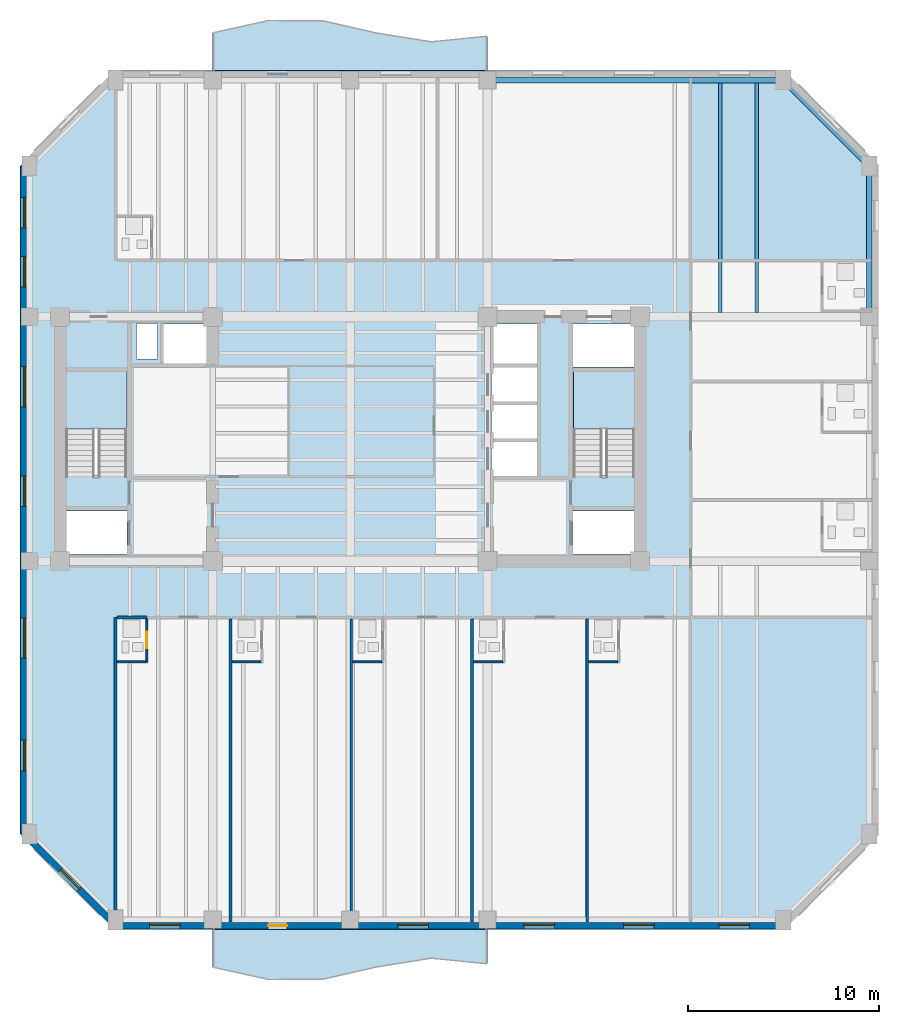
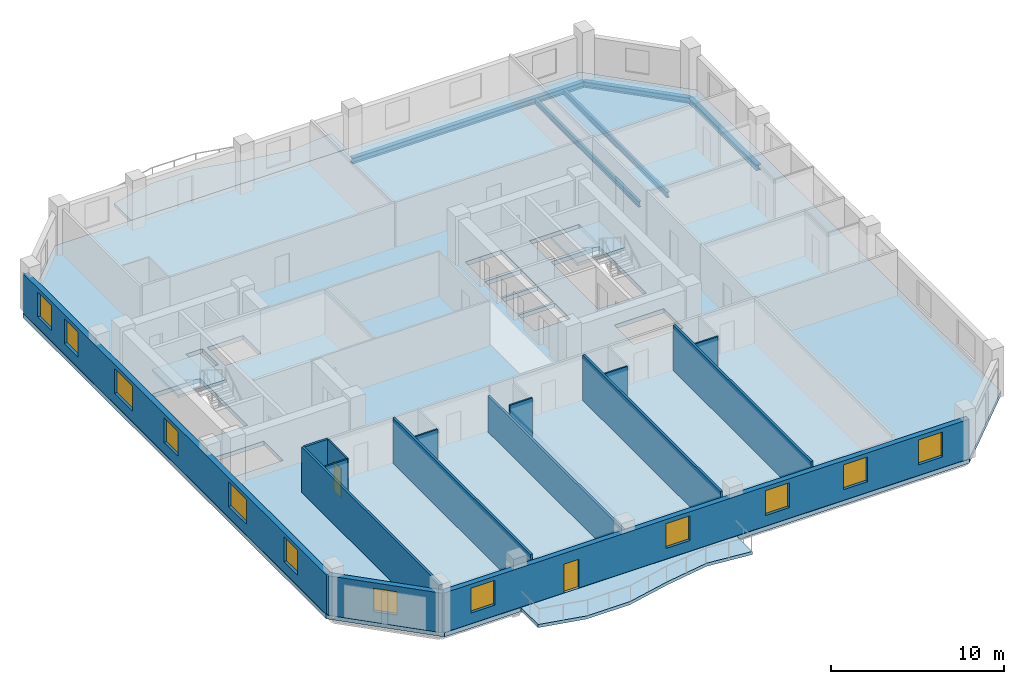
# One storey, part 2 of 10: 15 walls, 12 windows, 5 beams, 5 slabs, 2 doors, 14 openings, 2 elements without a shape of their own.
"""IFC4 building model written with IfcOpenShell, lengths in metres."""

from ifc_helpers import new_model, si_unit, direction, frame, frame_2d, origin, origin_2d, place, context, subcontext, project, spatial, polyline, rectangle, i_section, outline, extrude, material, layer, layer_set, material_profile, profile_set, type_object, element, fill, aggregate, save


model = new_model("IFC4")

# Units and contexts
model_context = context("Model", 3, precision=1e-05, world=origin(), true_north=direction((0.0, 1.0)))
body_context = subcontext(model_context, "Body", "Model", "MODEL_VIEW")
ifc_project = project(units=[si_unit("LENGTHUNIT", "METRE"), si_unit("AREAUNIT", "SQUARE_METRE"), si_unit("VOLUMEUNIT", "CUBIC_METRE"), si_unit("PLANEANGLEUNIT", "RADIAN"), si_unit("MASSUNIT", "GRAM", prefix="KILO")], contexts=[model_context])

# Site, building, storey
site_placement = place(None, origin())
site = spatial("IfcSite", under=ifc_project, at=site_placement, CompositionType="ELEMENT")
building_placement = place(site_placement, origin())
building = spatial("IfcBuilding", under=site, at=building_placement, Name="Kranthara Brick Stack", CompositionType="ELEMENT")
storey_placement = place(building_placement, frame((0.0, 0.0, 155.300048828125)))
storey = spatial("IfcBuildingStorey", under=building, at=storey_placement, Name="L39", CompositionType="ELEMENT", Elevation=155.300048828125)

# Beams
ifc_material_1 = material(Name="Steel S355", Category="steel")
ifc_material_profile_1 = material_profile(ifc_material_1, i_section(OverallWidth=0.179931640625, OverallDepth=0.39990234375, WebThickness=0.008544921875, FlangeThickness=0.013427734375, at=origin_2d()), Name="IPE 400")
ifc_profile_set_1 = profile_set([ifc_material_profile_1], Name="Steel S355")
beam_type_1 = type_object("IfcBeamType", Name="BM-JST-IPE400", PredefinedType="JOIST", material=ifc_profile_set_1)
for number, where, z_axis, x_axis, name in (
    (1, (47.39990234375, 33.824951171875, -0.5), (0.0, 1.0, 0.0), (-1.0, 0.0, 0.0), "L39 North Wing Floor Joist 073"),
    (2, (49.300048828125, 33.824951171875, -0.5), (0.0, 1.0, 0.0), (-1.0, 0.0, 0.0), "L39 North Wing Floor Joist 075"),
):
    element("IfcBeam", number, at=place(storey_placement, frame(where, z_axis=z_axis, x_axis=x_axis)), inside=storey, type_object=beam_type_1, Name=name, PredefinedType="JOIST", context=body_context, shape_type="SweptSolid", body=[
        extrude(i_section(OverallWidth=0.179931640625, OverallDepth=0.39990234375, WebThickness=0.008544921875, FlangeThickness=0.013427734375, at=origin_2d()), origin(), (0.0, 0.0, 1.0), 12.025146484375),
    ])
ifc_material_2 = material(Name="Steel S355", Category="steel")
ifc_material_profile_2 = material_profile(ifc_material_2, i_section(OverallWidth=0.300048828125, OverallDepth=0.39990234375, WebThickness=0.013427734375, FlangeThickness=0.02392578125, at=origin_2d()), Name="HEB 400")
ifc_profile_set_2 = profile_set([ifc_material_profile_2], Name="Steel S355")
beam_type_2 = type_object("IfcBeamType", Name="BM-STL-HEB400", PredefinedType="SPANDREL", material=ifc_profile_set_2)
beam_1_placement = place(storey_placement, frame((35.199951171875, 46.0, -0.5), z_axis=(1.0, 0.0, 0.0), x_axis=(0.0, 1.0, 0.0)))
element("IfcBeam", 3, at=beam_1_placement, inside=storey, type_object=beam_type_2, Name="L39 Perimeter Spandrel Beam 012", PredefinedType="SPANDREL", context=body_context, shape_type="SweptSolid", body=[
    extrude(i_section(OverallWidth=0.300048828125, OverallDepth=0.39990234375, WebThickness=0.013427734375, FlangeThickness=0.02392578125, at=origin_2d()), origin(), (0.0, 0.0, 1.0), 15.5),
])
beam_2_placement = place(storey_placement, frame((55.199951171875, 33.60009765625, -0.5), z_axis=(0.0, 1.0, 0.0), x_axis=(-1.0, 0.0, 0.0)))
element("IfcBeam", 4, at=beam_2_placement, inside=storey, type_object=beam_type_2, Name="L39 Perimeter Spandrel Beam 018", PredefinedType="SPANDREL", context=body_context, shape_type="SweptSolid", body=[
    extrude(i_section(OverallWidth=0.300048828125, OverallDepth=0.39990234375, WebThickness=0.013427734375, FlangeThickness=0.02392578125, at=origin_2d()), origin(), (0.0, 0.0, 1.0), 7.89990234375),
])
beam_3_placement = place(storey_placement, frame((50.699951171875, 46.0, -0.5), z_axis=(0.707106781187, -0.707106781187, 0.0), x_axis=(0.707106781187, 0.707106781187, 0.0)))
element("IfcBeam", 5, at=beam_3_placement, inside=storey, type_object=beam_type_2, Name="L39 Chamfer Corner Spandrel 022", PredefinedType="SPANDREL", context=body_context, shape_type="SweptSolid", body=[
    extrude(i_section(OverallWidth=0.300048828125, OverallDepth=0.39990234375, WebThickness=0.013427734375, FlangeThickness=0.02392578125, at=origin_2d()), origin(), (0.0, 0.0, 1.0), 6.364013671875),
])

# Slabs
ifc_material_3 = material(Name="Concrete C45/55", Category="concrete")
ifc_layer_1 = layer(ifc_material_3, 0.219970703125)
ifc_layer_set_1 = layer_set([ifc_layer_1], Name="Concrete C45/55")
slab_type_1 = type_object("IfcSlabType", Name="SLB-BALC-220", PredefinedType="FLOOR", material=ifc_layer_set_1)
slab_1_placement = place(storey_placement, frame((0.0, 0.0, -0.219970703125)))
element("IfcSlab", 6, at=slab_1_placement, inside=storey, type_object=slab_type_1, Name="L39 South Rippling Balcony Slab", PredefinedType="FLOOR", context=body_context, shape_type="SweptSolid", body=[
    extrude(outline(polyline([(20.800048828125, 1.5), (35.199951171875, 1.5), (35.199951171875, -0.3037109375), (32.320068359375, -0.008056640625), (29.43994140625, -0.48828125), (26.56005859375, -1.140625), (23.679931640625, -1.14453125), (20.800048828125, -0.4951171875), (20.800048828125, 1.5)])), origin(), (0.0, 0.0, 1.0), 0.219970703125),
])
slab_2_placement = place(storey_placement, frame((0.0, 0.0, -0.219970703125)))
element("IfcSlab", 7, at=slab_2_placement, inside=storey, type_object=slab_type_1, Name="L39 North Rippling Balcony Slab", PredefinedType="FLOOR", context=body_context, shape_type="SweptSolid", body=[
    extrude(outline(polyline([(35.199951171875, 46.5), (20.800048828125, 46.5), (20.800048828125, 48.4951171875), (23.679931640625, 49.14453125), (26.56005859375, 49.140625), (29.43994140625, 48.48828125), (32.320068359375, 48.008056640625), (35.199951171875, 48.3037109375), (35.199951171875, 46.5)])), origin(), (0.0, 0.0, 1.0), 0.219970703125),
])

# Stair, slab
ifc_material_4 = material(Name="Concrete C45/55", Category="concrete")
stair_type = type_object("IfcStairType", Name="ST-CORE-20R", PredefinedType="HALF_TURN_STAIR", material=ifc_material_4)
stair_1_placement = place(storey_placement, origin())
stair_1 = element("IfcStair", 8, at=stair_1_placement, inside=storey, type_object=stair_type, Name="L39 West Core Protected Exit Stair ST01", PredefinedType="HALF_TURN_STAIR")
ifc_material_5 = material(Name="Concrete C45/55", Category="concrete")
ifc_layer_2 = layer(ifc_material_5, 0.199951171875)
ifc_layer_set_2 = layer_set([ifc_layer_2], Name="Concrete C45/55")
slab_type_2 = type_object("IfcSlabType", Name="SLB-LANDING-200", PredefinedType="LANDING", material=ifc_layer_set_2)
slab_3_placement = place(storey_placement, frame((0.0, 0.0, 1.550048828125)))
slab_3 = element("IfcSlab", 9, at=slab_3_placement, type_object=slab_type_2, Name="ST01 landing 1", PredefinedType="LANDING", context=body_context, shape_type="SweptSolid", body=[
    extrude(outline(polyline([(16.300048828125, 27.719970703125), (16.300048828125, 30.75), (13.10009765625, 30.75), (13.10009765625, 27.719970703125), (16.300048828125, 27.719970703125)])), origin(), (0.0, 0.0, 1.0), 0.199951171875),
])
aggregate(stair_1, [slab_3])

stair_2_placement = place(storey_placement, origin())
stair_2 = element("IfcStair", 10, at=stair_2_placement, inside=storey, type_object=stair_type, Name="L39 East Core Protected Exit Stair ST02", PredefinedType="HALF_TURN_STAIR")
slab_4_placement = place(storey_placement, frame((0.0, 0.0, 1.550048828125)))
slab_4 = element("IfcSlab", 11, at=slab_4_placement, type_object=slab_type_2, Name="ST02 landing 1", PredefinedType="LANDING", context=body_context, shape_type="SweptSolid", body=[
    extrude(outline(polyline([(42.89990234375, 27.719970703125), (42.89990234375, 30.75), (39.699951171875, 30.75), (39.699951171875, 27.719970703125), (42.89990234375, 27.719970703125)])), origin(), (0.0, 0.0, 1.0), 0.199951171875),
])
aggregate(stair_2, [slab_4])

# Slab
ifc_material_6 = material(Name="Post-tensioned concrete C45/55", Category="concrete")
ifc_layer_3 = layer(ifc_material_6, 0.300048828125)
ifc_layer_set_3 = layer_set([ifc_layer_3], Name="Post-tensioned concrete C45/55")
slab_type_3 = type_object("IfcSlabType", Name="SLB-TWR-300", PredefinedType="FLOOR", material=ifc_layer_set_3)
slab_5_placement = place(storey_placement, frame((0.0, 0.0, -0.300048828125)))
element("IfcSlab", 12, at=slab_5_placement, inside=storey, type_object=slab_type_3, Name="L39 Structural Floor Plate", PredefinedType="FLOOR", context=body_context, shape_type="SweptSolid", body=[
    extrude(outline(polyline([(15.699951171875, 1.5), (50.699951171875, 1.5), (55.699951171875, 6.5), (55.699951171875, 41.5), (50.699951171875, 46.5), (15.699951171875, 46.5), (10.699951171875, 41.5), (10.699951171875, 6.5), (15.699951171875, 1.5)]), holes=[polyline([(13.10009765625, 25.280029296875), (16.300048828125, 25.280029296875), (16.300048828125, 30.75), (13.10009765625, 30.75), (13.10009765625, 25.280029296875)]), polyline([(39.699951171875, 25.280029296875), (42.89990234375, 25.280029296875), (42.89990234375, 30.75), (39.699951171875, 30.75), (39.699951171875, 25.280029296875)]), polyline([(13.0, 21.179931640625), (16.320068359375, 21.179931640625), (16.320068359375, 23.419921875), (13.0, 23.419921875), (13.0, 21.179931640625)]), polyline([(39.679931640625, 21.179931640625), (43.0, 21.179931640625), (43.0, 23.419921875), (39.679931640625, 23.419921875), (39.679931640625, 21.179931640625)]), polyline([(39.679931640625, 30.97998046875), (43.0, 30.97998046875), (43.0, 33.219970703125), (39.679931640625, 33.219970703125), (39.679931640625, 30.97998046875)]), polyline([(35.39990234375, 25.25), (37.800048828125, 25.25), (37.800048828125, 27.050048828125), (35.39990234375, 27.050048828125), (35.39990234375, 25.25)]), polyline([(35.39990234375, 27.199951171875), (37.800048828125, 27.199951171875), (37.800048828125, 29.0), (35.39990234375, 29.0), (35.39990234375, 27.199951171875)]), polyline([(35.39990234375, 29.14990234375), (37.800048828125, 29.14990234375), (37.800048828125, 30.949951171875), (35.39990234375, 30.949951171875), (35.39990234375, 29.14990234375)]), polyline([(18.199951171875, 31.14990234375), (20.60009765625, 31.14990234375), (20.60009765625, 33.219970703125), (18.199951171875, 33.219970703125), (18.199951171875, 31.14990234375)]), polyline([(35.39990234375, 31.14990234375), (37.800048828125, 31.14990234375), (37.800048828125, 33.219970703125), (35.39990234375, 33.219970703125), (35.39990234375, 31.14990234375)]), polyline([(16.800048828125, 31.39990234375), (17.89990234375, 31.39990234375), (17.89990234375, 33.25), (16.800048828125, 33.25), (16.800048828125, 31.39990234375)])]), origin(), (0.0, 0.0, 1.0), 0.300048828125),
])

# Wall, openings, door, windows
ifc_material_7 = material(Name="Kiln-fired clay brick masonry M15", Category="masonry")
ifc_layer_4 = layer(ifc_material_7, 0.35009765625)
ifc_layer_set_4 = layer_set([ifc_layer_4], Name="Kiln-fired clay brick masonry M15")
wall_type_1 = type_object("IfcWallType", Name="WL-BRK-SPND-350", PredefinedType="STANDARD", material=ifc_layer_set_4)
wall_1_placement = place(storey_placement, frame((50.699951171875, 1.695068359375, 0.0), z_axis=(0.0, 0.0, 1.0), x_axis=(-1.0, 0.0, 0.0)))
wall_1 = element("IfcWall", 13, at=wall_1_placement, inside=storey, type_object=wall_type_1, Name="L39 Exterior Brick Facade Wall SOUTH 1", PredefinedType="STANDARD", context=body_context, shape_type="SweptSolid", body=[
    extrude(rectangle(XDim=35.0, YDim=0.35009765625, at=frame_2d((17.5, 0.0))), origin(), (0.0, 0.0, 1.0), 2.784912109375),
])
opening_1_placement = place(wall_1_placement, frame((26.0, 0.0, 0.0)))
opening_1 = element("IfcOpeningElement", 14, at=opening_1_placement, cuts=wall_1, Name="Opening D03", PredefinedType="OPENING", context=body_context, shape_type="SweptSolid", body=[
    extrude(rectangle(XDim=1.0, YDim=2.02001953125, at=frame_2d((0.5, 1.010009765625))), frame((0.0, 0.18505859375, 0.0), z_axis=(0.0, -1.0, 0.0), x_axis=(1.0, 0.0, 0.0)), (0.0, 0.0, 1.0), 0.3701171875),
])
opening_2_placement = place(wall_1_placement, frame((1.762939453125, 0.0, 0.75)))
opening_2 = element("IfcOpeningElement", 15, at=opening_2_placement, cuts=wall_1, Name="Opening WN04", PredefinedType="OPENING", context=body_context, shape_type="SweptSolid", body=[
    extrude(rectangle(XDim=1.60009765625, YDim=1.75, at=frame_2d((0.800048828125, 0.875))), frame((0.0, 0.18505859375, 0.0), z_axis=(0.0, -1.0, 0.0), x_axis=(1.0, 0.0, 0.0)), (0.0, 0.0, 1.0), 0.3701171875),
])
opening_3_placement = place(wall_1_placement, frame((6.763916015625, 0.0, 0.75)))
opening_3 = element("IfcOpeningElement", 16, at=opening_3_placement, cuts=wall_1, Name="Opening WN04", PredefinedType="OPENING", context=body_context, shape_type="SweptSolid", body=[
    extrude(rectangle(XDim=1.60009765625, YDim=1.75, at=frame_2d((0.800048828125, 0.875))), frame((0.0, 0.18505859375, 0.0), z_axis=(0.0, -1.0, 0.0), x_axis=(1.0, 0.0, 0.0)), (0.0, 0.0, 1.0), 0.3701171875),
])
opening_4_placement = place(wall_1_placement, frame((11.989013671875, 0.0, 0.75)))
opening_4 = element("IfcOpeningElement", 17, at=opening_4_placement, cuts=wall_1, Name="Opening WN04", PredefinedType="OPENING", context=body_context, shape_type="SweptSolid", body=[
    extrude(rectangle(XDim=1.60009765625, YDim=1.75, at=frame_2d((0.800048828125, 0.875))), frame((0.0, 0.18505859375, 0.0), z_axis=(0.0, -1.0, 0.0), x_axis=(1.0, 0.0, 0.0)), (0.0, 0.0, 1.0), 0.3701171875),
])
opening_5_placement = place(wall_1_placement, frame((18.60400390625, 0.0, 0.75)))
opening_5 = element("IfcOpeningElement", 18, at=opening_5_placement, cuts=wall_1, Name="Opening WN04", PredefinedType="OPENING", context=body_context, shape_type="SweptSolid", body=[
    extrude(rectangle(XDim=1.60009765625, YDim=1.75, at=frame_2d((0.800048828125, 0.875))), frame((0.0, 0.18505859375, 0.0), z_axis=(0.0, -1.0, 0.0), x_axis=(1.0, 0.0, 0.0)), (0.0, 0.0, 1.0), 0.3701171875),
])
opening_6_placement = place(wall_1_placement, frame((31.613037109375, 0.0, 0.75)))
opening_6 = element("IfcOpeningElement", 19, at=opening_6_placement, cuts=wall_1, Name="Opening WN04", PredefinedType="OPENING", context=body_context, shape_type="SweptSolid", body=[
    extrude(rectangle(XDim=1.60009765625, YDim=1.75, at=frame_2d((0.800048828125, 0.875))), frame((0.0, 0.18505859375, 0.0), z_axis=(0.0, -1.0, 0.0), x_axis=(1.0, 0.0, 0.0)), (0.0, 0.0, 1.0), 0.3701171875),
])
ifc_material_8 = material(Name="Bronze anodised aluminium and laminated glass", Category="aluminium")
door_type_1 = type_object("IfcDoorType", Name="DR-BALC-1000", OperationType="NOTDEFINED", PredefinedType="DOOR", material=ifc_material_8)
door_1_placement = place(opening_1_placement, origin())
door_1 = element("IfcDoor", 20, at=door_1_placement, inside=storey, type_object=door_type_1, Name="L39 South Balcony Terrace Door", OperationType="SINGLE_SWING_LEFT", OverallHeight=2.02001953125, OverallWidth=1.0, PredefinedType="DOOR", context=body_context, shape_type="SweptSolid", body=[
    extrude(rectangle(XDim=1.0, YDim=2.02001953125, at=frame_2d((0.5, 1.010009765625))), frame((0.0, 0.02490234375, 0.0), z_axis=(0.0, -1.0, 0.0), x_axis=(1.0, 0.0, 0.0)), (0.0, 0.0, 1.0), 0.050048828125),
])
fill(opening_1, door_1)
ifc_material_9 = material(Name="Double-glazed low-E solar control glass", Category="glass")
window_type_1 = type_object("IfcWindowType", Name="WN-HTL-1600x1850", PartitioningType="DOUBLE_PANEL_VERTICAL", PredefinedType="WINDOW", material=ifc_material_9)
window_1_placement = place(opening_2_placement, origin())
window_1 = element("IfcWindow", 21, at=window_1_placement, inside=storey, type_object=window_type_1, Name="L39 South Deep-Set Brick Window 01", OverallHeight=1.75, OverallWidth=1.60009765625, PartitioningType="SINGLE_PANEL", PredefinedType="WINDOW", context=body_context, shape_type="SweptSolid", body=[
    extrude(rectangle(XDim=1.60009765625, YDim=1.75, at=frame_2d((0.800048828125, 0.875))), frame((0.0, -0.010009765625, 0.0), z_axis=(0.0, -1.0, 0.0), x_axis=(1.0, 0.0, 0.0)), (0.0, 0.0, 1.0), 0.06005859375),
])
fill(opening_2, window_1)
window_2_placement = place(opening_3_placement, origin())
window_2 = element("IfcWindow", 22, at=window_2_placement, inside=storey, type_object=window_type_1, Name="L39 South Deep-Set Brick Window 02", OverallHeight=1.75, OverallWidth=1.60009765625, PartitioningType="SINGLE_PANEL", PredefinedType="WINDOW", context=body_context, shape_type="SweptSolid", body=[
    extrude(rectangle(XDim=1.60009765625, YDim=1.75, at=frame_2d((0.800048828125, 0.875))), frame((0.0, -0.010009765625, 0.0), z_axis=(0.0, -1.0, 0.0), x_axis=(1.0, 0.0, 0.0)), (0.0, 0.0, 1.0), 0.06005859375),
])
fill(opening_3, window_2)
window_3_placement = place(opening_4_placement, origin())
window_3 = element("IfcWindow", 23, at=window_3_placement, inside=storey, type_object=window_type_1, Name="L39 South Deep-Set Brick Window 03", OverallHeight=1.75, OverallWidth=1.60009765625, PartitioningType="SINGLE_PANEL", PredefinedType="WINDOW", context=body_context, shape_type="SweptSolid", body=[
    extrude(rectangle(XDim=1.60009765625, YDim=1.75, at=frame_2d((0.800048828125, 0.875))), frame((0.0, -0.010009765625, 0.0), z_axis=(0.0, -1.0, 0.0), x_axis=(1.0, 0.0, 0.0)), (0.0, 0.0, 1.0), 0.06005859375),
])
fill(opening_4, window_3)
window_4_placement = place(opening_5_placement, origin())
window_4 = element("IfcWindow", 24, at=window_4_placement, inside=storey, type_object=window_type_1, Name="L39 South Deep-Set Brick Window 04", OverallHeight=1.75, OverallWidth=1.60009765625, PartitioningType="SINGLE_PANEL", PredefinedType="WINDOW", context=body_context, shape_type="SweptSolid", body=[
    extrude(rectangle(XDim=1.60009765625, YDim=1.75, at=frame_2d((0.800048828125, 0.875))), frame((0.0, -0.010009765625, 0.0), z_axis=(0.0, -1.0, 0.0), x_axis=(1.0, 0.0, 0.0)), (0.0, 0.0, 1.0), 0.06005859375),
])
fill(opening_5, window_4)
window_5_placement = place(opening_6_placement, origin())
window_5 = element("IfcWindow", 25, at=window_5_placement, inside=storey, type_object=window_type_1, Name="L39 South Deep-Set Brick Window 05", OverallHeight=1.75, OverallWidth=1.60009765625, PartitioningType="SINGLE_PANEL", PredefinedType="WINDOW", context=body_context, shape_type="SweptSolid", body=[
    extrude(rectangle(XDim=1.60009765625, YDim=1.75, at=frame_2d((0.800048828125, 0.875))), frame((0.0, -0.010009765625, 0.0), z_axis=(0.0, -1.0, 0.0), x_axis=(1.0, 0.0, 0.0)), (0.0, 0.0, 1.0), 0.06005859375),
])
fill(opening_6, window_5)

# Wall, opening, window
wall_2_placement = place(storey_placement, frame((15.699951171875, 1.695068359375, 0.0), z_axis=(0.0, 0.0, 1.0), x_axis=(-0.707106781187, 0.707106781187, 0.0)))
wall_2 = element("IfcWall", 26, at=wall_2_placement, inside=storey, type_object=wall_type_1, Name="L39 Exterior Brick Facade Wall SW 1", PredefinedType="STANDARD", context=body_context, shape_type="SweptSolid", body=[
    extrude(rectangle(XDim=6.795166015625, YDim=0.35009765625, at=frame_2d((3.3974609375, 0.0))), origin(), (0.0, 0.0, 1.0), 2.784912109375),
])
opening_7_placement = place(wall_2_placement, frame((2.697998046875, 0.0, 0.75)))
opening_7 = element("IfcOpeningElement", 27, at=opening_7_placement, cuts=wall_2, Name="Opening WN10", PredefinedType="OPENING", context=body_context, shape_type="SweptSolid", body=[
    extrude(rectangle(XDim=1.39990234375, YDim=1.64990234375, at=frame_2d((0.699951171875, 0.824951171875))), frame((0.0, 0.18505859375, 0.0), z_axis=(0.0, -1.0, 0.0), x_axis=(1.0, 0.0, 0.0)), (0.0, 0.0, 1.0), 0.3701171875),
])
ifc_material_10 = material(Name="Double-glazed low-E solar control glass", Category="glass")
window_type_2 = type_object("IfcWindowType", Name="WN-CHM-1400x1750", PartitioningType="SINGLE_PANEL", PredefinedType="WINDOW", material=ifc_material_10)
window_6_placement = place(opening_7_placement, origin())
window_6 = element("IfcWindow", 28, at=window_6_placement, inside=storey, type_object=window_type_2, Name="L39 SW Chamfer Corner Window", OverallHeight=1.64990234375, OverallWidth=1.39990234375, PartitioningType="SINGLE_PANEL", PredefinedType="WINDOW", context=body_context, shape_type="SweptSolid", body=[
    extrude(rectangle(XDim=1.39990234375, YDim=1.64990234375, at=frame_2d((0.699951171875, 0.824951171875))), frame((0.0, -0.010009765625, 0.0), z_axis=(0.0, -1.0, 0.0), x_axis=(1.0, 0.0, 0.0)), (0.0, 0.0, 1.0), 0.06005859375),
])
fill(opening_7, window_6)

# Wall, openings, windows
wall_3_placement = place(storey_placement, frame((10.89501953125, 6.5, 0.0), z_axis=(0.0, 0.0, 1.0), x_axis=(0.0, 1.0, 0.0)))
wall_3 = element("IfcWall", 29, at=wall_3_placement, inside=storey, type_object=wall_type_1, Name="L39 Exterior Brick Facade Wall WEST 1", PredefinedType="STANDARD", context=body_context, shape_type="SweptSolid", body=[
    extrude(rectangle(XDim=35.0, YDim=0.35009765625, at=frame_2d((17.5, 0.0))), origin(), (0.0, 0.0, 1.0), 2.784912109375),
])
opening_8_placement = place(wall_3_placement, frame((3.31005859375, 0.0, 0.75)))
opening_8 = element("IfcOpeningElement", 30, at=opening_8_placement, cuts=wall_3, Name="Opening WN04", PredefinedType="OPENING", context=body_context, shape_type="SweptSolid", body=[
    extrude(rectangle(XDim=1.60009765625, YDim=1.75, at=frame_2d((0.800048828125, 0.875))), frame((0.0, 0.18505859375, 0.0), z_axis=(0.0, -1.0, 0.0), x_axis=(1.0, 0.0, 0.0)), (0.0, 0.0, 1.0), 0.3701171875),
])
opening_9_placement = place(wall_3_placement, frame((9.216064453125, 0.0, 0.75)))
opening_9 = element("IfcOpeningElement", 31, at=opening_9_placement, cuts=wall_3, Name="Opening WN05", PredefinedType="OPENING", context=body_context, shape_type="SweptSolid", body=[
    extrude(rectangle(XDim=2.10009765625, YDim=1.75, at=frame_2d((1.050048828125, 0.875))), frame((0.0, 0.18505859375, 0.0), z_axis=(0.0, -1.0, 0.0), x_axis=(1.0, 0.0, 0.0)), (0.0, 0.0, 1.0), 0.3701171875),
])
opening_10_placement = place(wall_3_placement, frame((17.1640625, 0.0, 0.75)))
opening_10 = element("IfcOpeningElement", 32, at=opening_10_placement, cuts=wall_3, Name="Opening WN04", PredefinedType="OPENING", context=body_context, shape_type="SweptSolid", body=[
    extrude(rectangle(XDim=1.60009765625, YDim=1.75, at=frame_2d((0.800048828125, 0.875))), frame((0.0, 0.18505859375, 0.0), z_axis=(0.0, -1.0, 0.0), x_axis=(1.0, 0.0, 0.0)), (0.0, 0.0, 1.0), 0.3701171875),
])
opening_11_placement = place(wall_3_placement, frame((22.385986328125, 0.0, 0.75)))
opening_11 = element("IfcOpeningElement", 33, at=opening_11_placement, cuts=wall_3, Name="Opening WN05", PredefinedType="OPENING", context=body_context, shape_type="SweptSolid", body=[
    extrude(rectangle(XDim=2.10009765625, YDim=1.75, at=frame_2d((1.050048828125, 0.875))), frame((0.0, 0.18505859375, 0.0), z_axis=(0.0, -1.0, 0.0), x_axis=(1.0, 0.0, 0.0)), (0.0, 0.0, 1.0), 0.3701171875),
])
opening_12_placement = place(wall_3_placement, frame((28.6708984375, 0.0, 0.75)))
opening_12 = element("IfcOpeningElement", 34, at=opening_12_placement, cuts=wall_3, Name="Opening WN04", PredefinedType="OPENING", context=body_context, shape_type="SweptSolid", body=[
    extrude(rectangle(XDim=1.60009765625, YDim=1.75, at=frame_2d((0.800048828125, 0.875))), frame((0.0, 0.18505859375, 0.0), z_axis=(0.0, -1.0, 0.0), x_axis=(1.0, 0.0, 0.0)), (0.0, 0.0, 1.0), 0.3701171875),
])
opening_13_placement = place(wall_3_placement, frame((31.7548828125, 0.0, 0.75)))
opening_13 = element("IfcOpeningElement", 35, at=opening_13_placement, cuts=wall_3, Name="Opening WN04", PredefinedType="OPENING", context=body_context, shape_type="SweptSolid", body=[
    extrude(rectangle(XDim=1.60009765625, YDim=1.75, at=frame_2d((0.800048828125, 0.875))), frame((0.0, 0.18505859375, 0.0), z_axis=(0.0, -1.0, 0.0), x_axis=(1.0, 0.0, 0.0)), (0.0, 0.0, 1.0), 0.3701171875),
])
window_7_placement = place(opening_8_placement, origin())
window_7 = element("IfcWindow", 36, at=window_7_placement, inside=storey, type_object=window_type_1, Name="L39 West Deep-Set Brick Window 01", OverallHeight=1.75, OverallWidth=1.60009765625, PartitioningType="SINGLE_PANEL", PredefinedType="WINDOW", context=body_context, shape_type="SweptSolid", body=[
    extrude(rectangle(XDim=1.60009765625, YDim=1.75, at=frame_2d((0.800048828125, 0.875))), frame((0.0, -0.010009765625, 0.0), z_axis=(0.0, -1.0, 0.0), x_axis=(1.0, 0.0, 0.0)), (0.0, 0.0, 1.0), 0.06005859375),
])
fill(opening_8, window_7)
window_8_placement = place(opening_10_placement, origin())
window_8 = element("IfcWindow", 37, at=window_8_placement, inside=storey, type_object=window_type_1, Name="L39 West Deep-Set Brick Window 03", OverallHeight=1.75, OverallWidth=1.60009765625, PartitioningType="SINGLE_PANEL", PredefinedType="WINDOW", context=body_context, shape_type="SweptSolid", body=[
    extrude(rectangle(XDim=1.60009765625, YDim=1.75, at=frame_2d((0.800048828125, 0.875))), frame((0.0, -0.010009765625, 0.0), z_axis=(0.0, -1.0, 0.0), x_axis=(1.0, 0.0, 0.0)), (0.0, 0.0, 1.0), 0.06005859375),
])
fill(opening_10, window_8)
window_9_placement = place(opening_12_placement, origin())
window_9 = element("IfcWindow", 38, at=window_9_placement, inside=storey, type_object=window_type_1, Name="L39 West Deep-Set Brick Window 05", OverallHeight=1.75, OverallWidth=1.60009765625, PartitioningType="SINGLE_PANEL", PredefinedType="WINDOW", context=body_context, shape_type="SweptSolid", body=[
    extrude(rectangle(XDim=1.60009765625, YDim=1.75, at=frame_2d((0.800048828125, 0.875))), frame((0.0, -0.010009765625, 0.0), z_axis=(0.0, -1.0, 0.0), x_axis=(1.0, 0.0, 0.0)), (0.0, 0.0, 1.0), 0.06005859375),
])
fill(opening_12, window_9)
window_10_placement = place(opening_13_placement, origin())
window_10 = element("IfcWindow", 39, at=window_10_placement, inside=storey, type_object=window_type_1, Name="L39 West Deep-Set Brick Window 06", OverallHeight=1.75, OverallWidth=1.60009765625, PartitioningType="SINGLE_PANEL", PredefinedType="WINDOW", context=body_context, shape_type="SweptSolid", body=[
    extrude(rectangle(XDim=1.60009765625, YDim=1.75, at=frame_2d((0.800048828125, 0.875))), frame((0.0, -0.010009765625, 0.0), z_axis=(0.0, -1.0, 0.0), x_axis=(1.0, 0.0, 0.0)), (0.0, 0.0, 1.0), 0.06005859375),
])
fill(opening_13, window_10)
ifc_material_11 = material(Name="Double-glazed low-E solar control glass", Category="glass")
window_type_3 = type_object("IfcWindowType", Name="WN-HTL-2100x1850", PartitioningType="DOUBLE_PANEL_VERTICAL", PredefinedType="WINDOW", material=ifc_material_11)
window_11_placement = place(opening_9_placement, origin())
window_11 = element("IfcWindow", 40, at=window_11_placement, inside=storey, type_object=window_type_3, Name="L39 West Deep-Set Brick Window 02", OverallHeight=1.75, OverallWidth=2.10009765625, PartitioningType="SINGLE_PANEL", PredefinedType="WINDOW", context=body_context, shape_type="SweptSolid", body=[
    extrude(rectangle(XDim=2.10009765625, YDim=1.75, at=frame_2d((1.050048828125, 0.875))), frame((0.0, -0.010009765625, 0.0), z_axis=(0.0, -1.0, 0.0), x_axis=(1.0, 0.0, 0.0)), (0.0, 0.0, 1.0), 0.06005859375),
])
fill(opening_9, window_11)
window_12_placement = place(opening_11_placement, origin())
window_12 = element("IfcWindow", 41, at=window_12_placement, inside=storey, type_object=window_type_3, Name="L39 West Deep-Set Brick Window 04", OverallHeight=1.75, OverallWidth=2.10009765625, PartitioningType="SINGLE_PANEL", PredefinedType="WINDOW", context=body_context, shape_type="SweptSolid", body=[
    extrude(rectangle(XDim=2.10009765625, YDim=1.75, at=frame_2d((1.050048828125, 0.875))), frame((0.0, -0.010009765625, 0.0), z_axis=(0.0, -1.0, 0.0), x_axis=(1.0, 0.0, 0.0)), (0.0, 0.0, 1.0), 0.06005859375),
])
fill(opening_11, window_12)

# Wall, opening, door
ifc_material_12 = material(Name="Moisture-resistant wet-room partition", Category="other")
ifc_layer_5 = layer(ifc_material_12, 0.10009765625)
ifc_layer_set_5 = layer_set([ifc_layer_5], Name="Moisture-resistant wet-room partition")
wall_type_2 = type_object("IfcWallType", Name="WL-PART-100", PredefinedType="PARTITIONING", material=ifc_layer_set_5)
wall_4_placement = place(storey_placement, frame((17.35009765625, 15.52001953125, 0.0), z_axis=(0.0, 0.0, 1.0), x_axis=(0.0, 1.0, 0.0)))
wall_4 = element("IfcWall", 42, at=wall_4_placement, inside=storey, type_object=wall_type_2, Name="L39 Interior Partition 008", PredefinedType="PARTITIONING", context=body_context, shape_type="SweptSolid", body=[
    extrude(rectangle(XDim=2.25, YDim=0.10009765625, at=frame_2d((1.125, 0.0))), origin(), (0.0, 0.0, 1.0), 3.199951171875),
])
opening_14_placement = place(wall_4_placement, frame((0.719970703125, 0.0, 0.0)))
opening_14 = element("IfcOpeningElement", 43, at=opening_14_placement, cuts=wall_4, Name="Opening D17", PredefinedType="OPENING", context=body_context, shape_type="SweptSolid", body=[
    extrude(rectangle(XDim=0.85009765625, YDim=2.050048828125, at=frame_2d((0.425048828125, 1.02490234375))), frame((0.0, 0.06005859375, 0.0), z_axis=(0.0, -1.0, 0.0), x_axis=(1.0, 0.0, 0.0)), (0.0, 0.0, 1.0), 0.1201171875),
])
ifc_material_13 = material(Name="Solid-core hardwood timber leaf in steel frame", Category="steel")
door_type_2 = type_object("IfcDoorType", Name="DR-WET-850", OperationType="NOTDEFINED", PredefinedType="DOOR", material=ifc_material_13)
door_2_placement = place(opening_14_placement, origin())
door_2 = element("IfcDoor", 44, at=door_2_placement, inside=storey, type_object=door_type_2, Name="L39 Key 01 En-Suite Door 03", OperationType="SINGLE_SWING_LEFT", OverallHeight=2.050048828125, OverallWidth=0.85009765625, PredefinedType="DOOR", context=body_context, shape_type="SweptSolid", body=[
    extrude(rectangle(XDim=0.85009765625, YDim=2.050048828125, at=frame_2d((0.425048828125, 1.02490234375))), frame((0.0, 0.02490234375, 0.0), z_axis=(0.0, -1.0, 0.0), x_axis=(1.0, 0.0, 0.0)), (0.0, 0.0, 1.0), 0.050048828125),
])
fill(opening_14, door_2)

# Walls
for number, where, z_axis, x_axis, name in (
    (45, (15.780029296875, 15.52001953125, 0.0), (0.0, 0.0, 1.0), (1.0, 0.0, 0.0), "L39 Interior Partition 009"),
    (46, (21.81005859375, 15.52001953125, 0.0), (0.0, 0.0, 1.0), (1.0, 0.0, 0.0), "L39 Interior Partition 014"),
    (47, (28.14111328125, 15.52001953125, 0.0), (0.0, 0.0, 1.0), (1.0, 0.0, 0.0), "L39 Interior Partition 019"),
):
    element("IfcWall", number, at=place(storey_placement, frame(where, z_axis=z_axis, x_axis=x_axis)), inside=storey, type_object=wall_type_2, Name=name, PredefinedType="PARTITIONING", context=body_context, shape_type="SweptSolid", body=[
        extrude(rectangle(XDim=1.514892578125, YDim=0.10009765625, at=frame_2d((0.75732421875, 0.0))), origin(), (0.0, 0.0, 1.0), 3.199951171875),
    ])
for number, where, z_axis, x_axis, name in (
    (48, (34.472900390625, 15.52001953125, 0.0), (0.0, 0.0, 1.0), (1.0, 0.0, 0.0), "L39 Interior Partition 024"),
    (49, (40.5029296875, 15.52001953125, 0.0), (0.0, 0.0, 1.0), (1.0, 0.0, 0.0), "L39 Interior Partition 029"),
):
    element("IfcWall", number, at=place(storey_placement, frame(where, z_axis=z_axis, x_axis=x_axis)), inside=storey, type_object=wall_type_2, Name=name, PredefinedType="PARTITIONING", context=body_context, shape_type="SweptSolid", body=[
        extrude(rectangle(XDim=1.51513671875, YDim=0.10009765625, at=frame_2d((0.757568359375, 0.0))), origin(), (0.0, 0.0, 1.0), 3.199951171875),
    ])
ifc_material_14 = material(Name="Fire-rated gypsum board partition", Category="other")
ifc_layer_6 = layer(ifc_material_14, 0.14990234375)
ifc_layer_set_6 = layer_set([ifc_layer_6], Name="Fire-rated gypsum board partition")
wall_type_3 = type_object("IfcWallType", Name="WL-PART-150", PredefinedType="PARTITIONING", material=ifc_layer_set_6)
wall_5_placement = place(storey_placement, frame((15.699951171875, 1.875, 0.0), z_axis=(0.0, 0.0, 1.0), x_axis=(0.0, 1.0, 0.0)))
element("IfcWall", 50, at=wall_5_placement, inside=storey, type_object=wall_type_3, Name="L39 Interior Partition 005", PredefinedType="PARTITIONING", context=body_context, shape_type="SweptSolid", body=[
    extrude(rectangle(XDim=15.97509765625, YDim=0.14990234375, at=frame_2d((7.987548828125, 0.0))), origin(), (0.0, 0.0, 1.0), 3.199951171875),
])
wall_6_placement = place(storey_placement, frame((15.780029296875, 17.85009765625, 0.0), z_axis=(0.0, 0.0, 1.0), x_axis=(1.0, 0.0, 0.0)))
element("IfcWall", 51, at=wall_6_placement, inside=storey, type_object=wall_type_3, Name="L39 Interior Partition 006", PredefinedType="PARTITIONING", context=body_context, shape_type="SweptSolid", body=[
    extrude(rectangle(XDim=1.570068359375, YDim=0.14990234375, at=frame_2d((0.78515625, 0.0))), origin(), (0.0, 0.0, 1.0), 3.199951171875),
])
wall_7_placement = place(storey_placement, frame((21.72998046875, 1.875, 0.0), z_axis=(0.0, 0.0, 1.0), x_axis=(0.0, 1.0, 0.0)))
element("IfcWall", 52, at=wall_7_placement, inside=storey, type_object=wall_type_3, Name="L39 Interior Partition 010", PredefinedType="PARTITIONING", context=body_context, shape_type="SweptSolid", body=[
    extrude(rectangle(XDim=15.89501953125, YDim=0.14990234375, at=frame_2d((7.947509765625, 0.0))), origin(), (0.0, 0.0, 1.0), 3.199951171875),
])
wall_8_placement = place(storey_placement, frame((28.06103515625, 1.875, 0.0), z_axis=(0.0, 0.0, 1.0), x_axis=(0.0, 1.0, 0.0)))
element("IfcWall", 53, at=wall_8_placement, inside=storey, type_object=wall_type_3, Name="L39 Interior Partition 015", PredefinedType="PARTITIONING", context=body_context, shape_type="SweptSolid", body=[
    extrude(rectangle(XDim=15.89501953125, YDim=0.14990234375, at=frame_2d((7.947509765625, 0.0))), origin(), (0.0, 0.0, 1.0), 2.534912109375),
])
for number, where, z_axis, x_axis, name in (
    (54, (34.39306640625, 1.875, 0.0), (0.0, 0.0, 1.0), (0.0, 1.0, 0.0), "L39 Interior Partition 020"),
    (55, (40.423095703125, 1.875, 0.0), (0.0, 0.0, 1.0), (0.0, 1.0, 0.0), "L39 Interior Partition 025"),
):
    element("IfcWall", number, at=place(storey_placement, frame(where, z_axis=z_axis, x_axis=x_axis)), inside=storey, type_object=wall_type_3, Name=name, PredefinedType="PARTITIONING", context=body_context, shape_type="SweptSolid", body=[
        extrude(rectangle(XDim=15.89501953125, YDim=0.14990234375, at=frame_2d((7.947509765625, 0.0))), origin(), (0.0, 0.0, 1.0), 3.199951171875),
    ])

save(model, "model.ifc")
